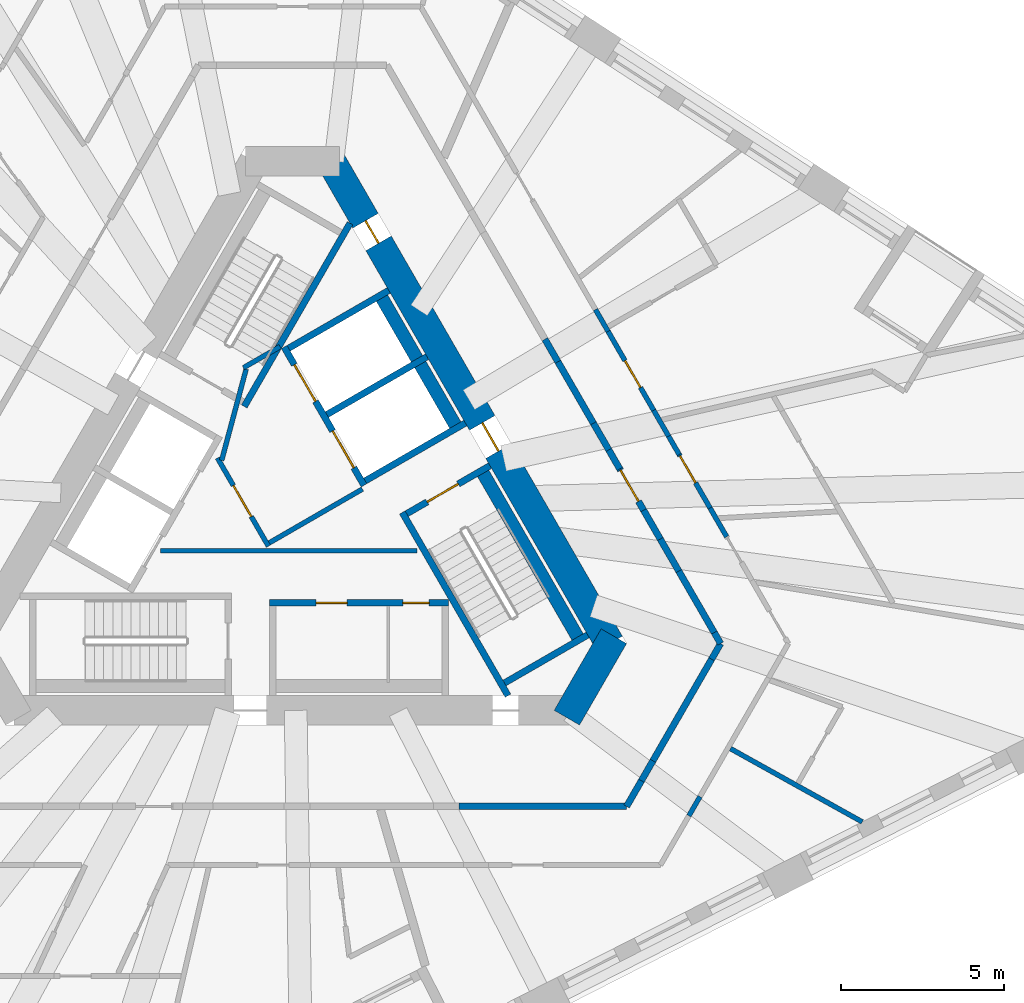
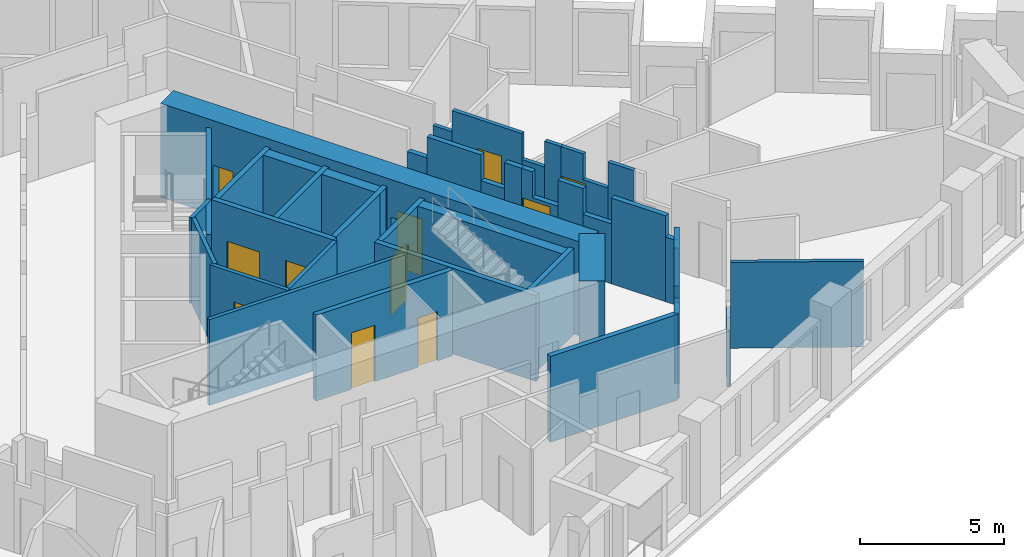
# One storey, part 5 of 13: 40 walls, 11 doors, 11 openings.
"""IFC4 building model written with IfcOpenShell, lengths in metres."""

from ifc_helpers import new_model, si_unit, direction, frame, frame_2d, origin, place, context, subcontext, project, spatial, polyline, rectangle, outline, extrude, material, layer, layer_set, type_object, element, fill, save


model = new_model("IFC4")

# Units and contexts
model_context = context("Model", 3, precision=1e-05, world=origin(), true_north=direction((0.0, 1.0)))
body_context = subcontext(model_context, "Body", "Model", "MODEL_VIEW")
ifc_project = project(units=[si_unit("LENGTHUNIT", "METRE"), si_unit("AREAUNIT", "SQUARE_METRE"), si_unit("VOLUMEUNIT", "CUBIC_METRE"), si_unit("PLANEANGLEUNIT", "RADIAN"), si_unit("MASSUNIT", "GRAM", prefix="KILO")], contexts=[model_context])

# Site, building, storey
site_placement = place(None, origin())
site = spatial("IfcSite", under=ifc_project, at=site_placement, CompositionType="ELEMENT")
building_placement = place(site_placement, origin())
building = spatial("IfcBuilding", under=site, at=building_placement, Name="Tramontana Tower", CompositionType="ELEMENT")
storey_placement = place(building_placement, frame((0.0, 0.0, 145.60009765625)))
storey = spatial("IfcBuildingStorey", under=building, at=storey_placement, Name="L33", CompositionType="ELEMENT", Elevation=145.60009765625)

# Wall
ifc_material_1 = material(Name="Concrete 70 MPa", Category="concrete")
ifc_layer_1 = layer(ifc_material_1, 0.89990234375)
ifc_layer_set_1 = layer_set([ifc_layer_1], Name="Core wall 900 70 MPa")
wall_type_1 = type_object("IfcWallType", Name="Core wall 900 70 MPa", PredefinedType="SHEAR", material=ifc_layer_set_1)
wall_1_placement = place(storey_placement, frame((8.414794921875, -6.52490234375, 0.0), z_axis=(0.0, 0.0, 1.0), x_axis=(0.500059191753, 0.865991226713, 0.0)))
element("IfcWall", 1, at=wall_1_placement, inside=storey, type_object=wall_type_1, Name="Core wall C4 L33", PredefinedType="SHEAR", context=body_context, shape_type="SweptSolid", body=[
    extrude(rectangle(XDim=2.886962890625, YDim=0.89990234375, at=frame_2d((1.443359375, 0.0))), origin(), (0.0, 0.0, 1.0), 4.0),
])

# Wall, openings, doors
wall_2_placement = place(storey_placement, frame((9.728515625, -4.25, 0.0), z_axis=(0.0, 0.0, 1.0), x_axis=(-0.500004814304, 0.866022624227, 0.0)))
wall_2 = element("IfcWall", 2, at=wall_2_placement, inside=storey, type_object=wall_type_1, Name="Core wall C5 L33", PredefinedType="SHEAR", context=body_context, shape_type="SweptSolid", body=[
    extrude(rectangle(XDim=17.089599609375, YDim=0.89990234375, at=frame_2d((8.544921875, 0.0))), origin(), (0.0, 0.0, 1.0), 4.0),
])
opening_1_placement = place(wall_2_placement, frame((6.81982421875, 0.0, 0.0)))
opening_1 = element("IfcOpeningElement", 3, at=opening_1_placement, cuts=wall_2, Name="Opening RG3", PredefinedType="OPENING", context=body_context, shape_type="SweptSolid", body=[
    extrude(rectangle(XDim=1.0, YDim=2.39990234375, at=frame_2d((0.5, 1.199951171875))), frame((0.0, 0.4599609375, 0.0), z_axis=(0.0, -1.0, 0.0), x_axis=(1.0, 0.0, 0.0)), (0.0, 0.0, 1.0), 0.919921875),
])
opening_2_placement = place(wall_2_placement, frame((14.183837890625, 0.0, 0.0)))
opening_2 = element("IfcOpeningElement", 4, at=opening_2_placement, cuts=wall_2, Name="Opening PD3", PredefinedType="OPENING", context=body_context, shape_type="SweptSolid", body=[
    extrude(rectangle(XDim=0.800048828125, YDim=2.10009765625, at=frame_2d((0.39990234375, 1.050048828125))), frame((0.0, 0.4599609375, 0.0), z_axis=(0.0, -1.0, 0.0), x_axis=(1.0, 0.0, 0.0)), (0.0, 0.0, 1.0), 0.919921875),
])
ifc_material_2 = material(Name="Painted steel", Category="steel")
door_type_1 = type_object("IfcDoorType", Name="CUPBOARD DOOR 800", OperationType="SINGLE_SWING_LEFT", PredefinedType="DOOR", material=ifc_material_2)
door_1_placement = place(opening_2_placement, origin())
door_1 = element("IfcDoor", 5, at=door_1_placement, inside=storey, type_object=door_type_1, Name="Door PD3", OperationType="SINGLE_SWING_RIGHT", OverallHeight=2.10009765625, OverallWidth=0.800048828125, PredefinedType="DOOR", context=body_context, shape_type="SweptSolid", body=[
    extrude(rectangle(XDim=0.800048828125, YDim=2.10009765625, at=frame_2d((0.39990234375, 1.050048828125))), frame((0.0, 0.02490234375, 0.0), z_axis=(0.0, -1.0, 0.0), x_axis=(1.0, 0.0, 0.0)), (0.0, 0.0, 1.0), 0.050048828125),
])
fill(opening_2, door_1)
ifc_material_3 = material(Name="Painted steel", Category="steel")
door_type_2 = type_object("IfcDoorType", Name="RING DOOR 1000", OperationType="SINGLE_SWING_LEFT", PredefinedType="DOOR", material=ifc_material_3)
door_2_placement = place(opening_1_placement, origin())
door_2 = element("IfcDoor", 6, at=door_2_placement, inside=storey, type_object=door_type_2, Name="Door RG3", OperationType="SINGLE_SWING_RIGHT", OverallHeight=2.39990234375, OverallWidth=1.0, PredefinedType="DOOR", context=body_context, shape_type="SweptSolid", body=[
    extrude(rectangle(XDim=1.0, YDim=2.39990234375, at=frame_2d((0.5, 1.199951171875))), frame((0.0, 0.02490234375, 0.0), z_axis=(0.0, -1.0, 0.0), x_axis=(1.0, 0.0, 0.0)), (0.0, 0.0, 1.0), 0.050048828125),
])
fill(opening_1, door_2)

# Walls
ifc_material_4 = material(Name="Blockwork", Category="masonry")
ifc_layer_2 = layer(ifc_material_4, 0.199951171875)
ifc_layer_set_2 = layer_set([ifc_layer_2], Name="ENTRY WALL 200")
wall_type_2 = type_object("IfcWallType", Name="ENTRY WALL 200", PredefinedType="SOLIDWALL", material=ifc_layer_set_2)
wall_3_placement = place(storey_placement, frame((7.7421875, 5.090087890625, 0.0), z_axis=(0.0, 0.0, 1.0), x_axis=(0.500109828528, -0.865961984968, 0.0)))
element("IfcWall", 7, at=wall_3_placement, inside=storey, type_object=wall_type_2, Name="Wall v31-ew0-3", PredefinedType="SOLIDWALL", context=body_context, shape_type="SweptSolid", body=[
    extrude(rectangle(XDim=0.800048828125, YDim=0.199951171875, at=frame_2d((0.39990234375, 0.0))), origin(), (0.0, 0.0, 1.0), 2.75),
])
wall_4_placement = place(storey_placement, frame((8.142333984375, 4.397216796875, 0.0), z_axis=(0.0, 0.0, 1.0), x_axis=(0.499948868167, -0.866054922749, 0.0)))
element("IfcWall", 8, at=wall_4_placement, inside=storey, type_object=wall_type_2, Name="Wall v31-ew0-4", PredefinedType="SOLIDWALL", context=body_context, shape_type="SweptSolid", body=[
    extrude(rectangle(XDim=2.177978515625, YDim=0.199951171875, at=frame_2d((1.0888671875, 0.0))), origin(), (0.0, 0.0, 1.0), 3.64990234375),
])
wall_5_placement = place(storey_placement, frame((9.231201171875, 2.510986328125, 0.0), z_axis=(0.0, 0.0, 1.0), x_axis=(0.500118100521, -0.865957207679, 0.0)))
element("IfcWall", 9, at=wall_5_placement, inside=storey, type_object=wall_type_2, Name="Wall v31-ew0-5", PredefinedType="SOLIDWALL", context=body_context, shape_type="SweptSolid", body=[
    extrude(rectangle(XDim=0.943603515625, YDim=0.199951171875, at=frame_2d((0.4716796875, 0.0))), origin(), (0.0, 0.0, 1.0), 2.5498046875),
])
wall_6_placement = place(storey_placement, frame((9.703125, 1.69384765625, 0.0), z_axis=(0.0, 0.0, 1.0), x_axis=(0.499764284991, -0.866161451144, 0.0)))
element("IfcWall", 10, at=wall_6_placement, inside=storey, type_object=wall_type_2, Name="Wall v31-ew0-6", PredefinedType="SOLIDWALL", context=body_context, shape_type="SweptSolid", body=[
    extrude(rectangle(XDim=0.673583984375, YDim=0.199951171875, at=frame_2d((0.3369140625, 0.0))), origin(), (0.0, 0.0, 1.0), 3.64990234375),
])

# Wall, opening, door
wall_7_placement = place(storey_placement, frame((10.039794921875, 1.1103515625, 0.0), z_axis=(0.0, 0.0, 1.0), x_axis=(0.499977492351, -0.866038398192, 0.0)))
wall_7 = element("IfcWall", 11, at=wall_7_placement, inside=storey, type_object=wall_type_2, Name="Wall v31-ew0-7", PredefinedType="SOLIDWALL", context=body_context, shape_type="SweptSolid", body=[
    extrude(outline(polyline([(0.0, 0.0), (1.4638671875, 0.0), (1.4638671875, 2.5498046875), (0.4404296875, 2.5498046875), (0.4404296875, 3.64990234375), (0.0, 3.64990234375), (0.0, 0.0)])), frame((0.0, 0.10009765625, 0.0), z_axis=(0.0, -1.0, 0.0), x_axis=(1.0, 0.0, 0.0)), (0.0, 0.0, 1.0), 0.199951171875),
])
opening_3_placement = place(wall_7_placement, frame((0.050048828125, 0.0, 0.0)))
opening_3 = element("IfcOpeningElement", 12, at=opening_3_placement, cuts=wall_7, Name="Opening B3B-28", PredefinedType="OPENING", context=body_context, shape_type="SweptSolid", body=[
    extrude(rectangle(XDim=1.10009765625, YDim=2.39990234375, at=frame_2d((0.550048828125, 1.199951171875))), frame((0.0, 0.10986328125, 0.0), z_axis=(0.0, -1.0, 0.0), x_axis=(1.0, 0.0, 0.0)), (0.0, 0.0, 1.0), 0.219970703125),
])
ifc_material_5 = material(Name="Painted timber", Category="wood")
door_type_3 = type_object("IfcDoorType", Name="DOOR ENTRY 1100", OperationType="SINGLE_SWING_LEFT", PredefinedType="DOOR", material=ifc_material_5)
door_3_placement = place(opening_3_placement, origin())
door_3 = element("IfcDoor", 13, at=door_3_placement, inside=storey, type_object=door_type_3, Name="Door B3B-28", OperationType="SINGLE_SWING_RIGHT", OverallHeight=2.39990234375, OverallWidth=1.10009765625, PredefinedType="DOOR", context=body_context, shape_type="SweptSolid", body=[
    extrude(rectangle(XDim=1.10009765625, YDim=2.39990234375, at=frame_2d((0.550048828125, 1.199951171875))), frame((0.0, 0.02490234375, 0.0), z_axis=(0.0, -1.0, 0.0), x_axis=(1.0, 0.0, 0.0)), (0.0, 0.0, 1.0), 0.050048828125),
])
fill(opening_3, door_3)

# Walls
wall_8_placement = place(storey_placement, frame((10.771728515625, -0.157470703125, 0.0), z_axis=(0.0, 0.0, 1.0), x_axis=(0.500170198676, -0.865927117231, 0.0)))
element("IfcWall", 14, at=wall_8_placement, inside=storey, type_object=wall_type_2, Name="Wall v31-ew0-8", PredefinedType="SOLIDWALL", context=body_context, shape_type="SweptSolid", body=[
    extrude(rectangle(XDim=1.022705078125, YDim=0.199951171875, at=frame_2d((0.51123046875, 0.0))), origin(), (0.0, 0.0, 1.0), 3.64990234375),
])
wall_9_placement = place(storey_placement, frame((11.283203125, -1.04296875, 0.0), z_axis=(0.0, 0.0, 1.0), x_axis=(0.500001688065, -0.866024429177, 0.0)))
element("IfcWall", 15, at=wall_9_placement, inside=storey, type_object=wall_type_2, Name="Wall v31-ew0-9", PredefinedType="SOLIDWALL", context=body_context, shape_type="SweptSolid", body=[
    extrude(rectangle(XDim=1.13525390625, YDim=0.199951171875, at=frame_2d((0.567626953125, 0.0))), origin(), (0.0, 0.0, 1.0), 2.5498046875),
])
wall_10_placement = place(storey_placement, frame((11.850830078125, -2.026123046875, 0.0), z_axis=(0.0, 0.0, 1.0), x_axis=(0.50001992892, -0.866013897511, 0.0)))
element("IfcWall", 16, at=wall_10_placement, inside=storey, type_object=wall_type_2, Name="Wall v31-ew0-10", PredefinedType="SOLIDWALL", context=body_context, shape_type="SweptSolid", body=[
    extrude(rectangle(XDim=2.1787109375, YDim=0.199951171875, at=frame_2d((1.08935546875, 0.0))), origin(), (0.0, 0.0, 1.0), 3.64990234375),
])
wall_11_placement = place(storey_placement, frame((12.940185546875, -3.912841796875, 0.0), z_axis=(0.0, 0.0, 1.0), x_axis=(0.499849133735, -0.866112488944, 0.0)))
element("IfcWall", 17, at=wall_11_placement, inside=storey, type_object=wall_type_2, Name="Wall v31-ew0-11", PredefinedType="SOLIDWALL", context=body_context, shape_type="SweptSolid", body=[
    extrude(rectangle(XDim=0.38916015625, YDim=0.199951171875, at=frame_2d((0.194580078125, 0.0))), origin(), (0.0, 0.0, 1.0), 2.75),
])
wall_12_placement = place(storey_placement, frame((13.134765625, -4.25, 0.0), z_axis=(0.0, 0.0, 1.0), x_axis=(-0.499887958344, -0.866090081402, 0.0)))
element("IfcWall", 18, at=wall_12_placement, inside=storey, type_object=wall_type_2, Name="Wall v31-ew1-0", PredefinedType="SOLIDWALL", context=body_context, shape_type="SweptSolid", body=[
    extrude(rectangle(XDim=0.553466796875, YDim=0.199951171875, at=frame_2d((0.27685546875, 0.0))), origin(), (0.0, 0.0, 1.0), 2.75),
])
wall_13_placement = place(storey_placement, frame((12.858154296875, -4.729248046875, 0.0), z_axis=(0.0, 0.0, 1.0), x_axis=(-0.500031425827, -0.866007259314, 0.0)))
element("IfcWall", 19, at=wall_13_placement, inside=storey, type_object=wall_type_2, Name="Wall v31-ew1-1", PredefinedType="SOLIDWALL", context=body_context, shape_type="SweptSolid", body=[
    extrude(rectangle(XDim=3.602294921875, YDim=0.199951171875, at=frame_2d((1.80126953125, 0.0))), origin(), (0.0, 0.0, 1.0), 3.64990234375),
])
wall_14_placement = place(storey_placement, frame((11.056884765625, -7.848876953125, 0.0), z_axis=(0.0, 0.0, 1.0), x_axis=(-0.500012199891, -0.86601836006, 0.0)))
element("IfcWall", 20, at=wall_14_placement, inside=storey, type_object=wall_type_2, Name="Wall v31-ew1-2", PredefinedType="SOLIDWALL", context=body_context, shape_type="SweptSolid", body=[
    extrude(rectangle(XDim=0.705078125, YDim=0.199951171875, at=frame_2d((0.3525390625, 0.0))), origin(), (0.0, 0.0, 1.0), 2.949951171875),
])
wall_15_placement = place(storey_placement, frame((10.704345703125, -8.45947265625, 0.0), z_axis=(0.0, 0.0, 1.0), x_axis=(-0.499907684424, -0.866078695647, 0.0)))
element("IfcWall", 21, at=wall_15_placement, inside=storey, type_object=wall_type_2, Name="Wall v31-ew1-3", PredefinedType="SOLIDWALL", context=body_context, shape_type="SweptSolid", body=[
    extrude(rectangle(XDim=0.912841796875, YDim=0.199951171875, at=frame_2d((0.45654296875, 0.0))), origin(), (0.0, 0.0, 1.0), 3.64990234375),
])
wall_16_placement = place(storey_placement, frame((10.248046875, -9.25, 0.0), z_axis=(0.0, 0.0, 1.0), x_axis=(-1.0, 0.0, 0.0)))
element("IfcWall", 22, at=wall_16_placement, inside=storey, type_object=wall_type_2, Name="Wall v31-ew2-0", PredefinedType="SOLIDWALL", context=body_context, shape_type="SweptSolid", body=[
    extrude(rectangle(XDim=5.14208984375, YDim=0.199951171875, at=frame_2d((2.571044921875, 0.0))), origin(), (0.0, 0.0, 1.0), 3.64990234375),
])

# Wall, opening, door
ifc_material_6 = material(Name="Gypsum board partition")
ifc_layer_3 = layer(ifc_material_6, 0.14990234375)
ifc_layer_set_3 = layer_set([ifc_layer_3], Name="PARTITION 150")
wall_type_3 = type_object("IfcWallType", Name="PARTITION 150", PredefinedType="PARTITIONING", material=ifc_layer_set_3)
wall_17_placement = place(storey_placement, frame((-0.744140625, -1.260986328125, 0.0), z_axis=(0.0, 0.0, 1.0), x_axis=(-0.500004234368, 0.866022959057, 0.0)))
wall_17 = element("IfcWall", 23, at=wall_17_placement, inside=storey, type_object=wall_type_3, Name="Wall ff-front", PredefinedType="PARTITIONING", context=body_context, shape_type="SweptSolid", body=[
    extrude(rectangle(XDim=3.125, YDim=0.14990234375, at=frame_2d((1.5625, 0.0))), origin(), (0.0, 0.0, 1.0), 3.64990234375),
])
opening_4_placement = place(wall_17_placement, frame((1.050048828125, 0.0, 0.0)))
opening_4 = element("IfcOpeningElement", 24, at=opening_4_placement, cuts=wall_17, Name="Opening FD1", PredefinedType="OPENING", context=body_context, shape_type="SweptSolid", body=[
    extrude(rectangle(XDim=1.10009765625, YDim=2.39990234375, at=frame_2d((0.550048828125, 1.199951171875))), frame((0.0, 0.0849609375, 0.0), z_axis=(0.0, -1.0, 0.0), x_axis=(1.0, 0.0, 0.0)), (0.0, 0.0, 1.0), 0.169921875),
])
door_4_placement = place(opening_4_placement, origin())
door_4 = element("IfcDoor", 25, at=door_4_placement, inside=storey, type_object=door_type_3, Name="Door FD1", OperationType="SINGLE_SWING_LEFT", OverallHeight=2.39990234375, OverallWidth=1.10009765625, PredefinedType="DOOR", context=body_context, shape_type="SweptSolid", body=[
    extrude(rectangle(XDim=1.10009765625, YDim=2.39990234375, at=frame_2d((0.550048828125, 1.199951171875))), frame((0.0, 0.02490234375, 0.0), z_axis=(0.0, -1.0, 0.0), x_axis=(1.0, 0.0, 0.0)), (0.0, 0.0, 1.0), 0.050048828125),
])
fill(opening_4, door_4)

# Walls
wall_18_placement = place(storey_placement, frame((-0.716796875, -1.15869140625, 0.0), z_axis=(0.0, 0.0, 1.0), x_axis=(0.866008176907, 0.50002983664, 0.0)))
element("IfcWall", 26, at=wall_18_placement, inside=storey, type_object=wall_type_3, Name="Wall ff-end0", PredefinedType="PARTITIONING", context=body_context, shape_type="SweptSolid", body=[
    extrude(rectangle(XDim=3.300048828125, YDim=0.14990234375, at=frame_2d((1.64990234375, 0.0))), origin(), (0.0, 0.0, 1.0), 3.64990234375),
])
wall_19_placement = place(storey_placement, frame((-2.177978515625, 1.372314453125, 0.0), z_axis=(0.0, 0.0, 1.0), x_axis=(0.258808958833, 0.96592852884, 0.0)))
element("IfcWall", 27, at=wall_19_placement, inside=storey, type_object=wall_type_3, Name="Wall ff-diag", PredefinedType="PARTITIONING", context=body_context, shape_type="SweptSolid", body=[
    extrude(rectangle(XDim=2.902587890625, YDim=0.14990234375, at=frame_2d((1.451171875, 0.0))), origin(), (0.0, 0.0, 1.0), 3.64990234375),
])
wall_20_placement = place(storey_placement, frame((-1.509765625, 4.21484375, 0.0), z_axis=(0.0, 0.0, 1.0), x_axis=(0.866085525409, 0.49989585183, 0.0)))
element("IfcWall", 28, at=wall_20_placement, inside=storey, type_object=wall_type_3, Name="Wall ff-end1", PredefinedType="PARTITIONING", context=body_context, shape_type="SweptSolid", body=[
    extrude(rectangle(XDim=1.300048828125, YDim=0.14990234375, at=frame_2d((0.64990234375, 0.0))), origin(), (0.0, 0.0, 1.0), 3.64990234375),
])
wall_21_placement = place(storey_placement, frame((-4.053466796875, -1.39990234375, 0.0), z_axis=(0.0, 0.0, 1.0), x_axis=(1.0, 0.0, 0.0)))
element("IfcWall", 29, at=wall_21_placement, inside=storey, type_object=wall_type_3, Name="Wall hub-cut1", PredefinedType="PARTITIONING", context=body_context, shape_type="SweptSolid", body=[
    extrude(rectangle(XDim=7.8759765625, YDim=0.14990234375, at=frame_2d((3.93798828125, 0.0))), origin(), (0.0, 0.0, 1.0), 3.64990234375),
])
wall_22_placement = place(storey_placement, frame((9.2939453125, 6.00244140625, 0.0), z_axis=(0.0, 0.0, 1.0), x_axis=(0.499831512295, -0.866122658356, 0.0)))
element("IfcWall", 30, at=wall_22_placement, inside=storey, type_object=wall_type_3, Name="Wall v31-pw29-3", PredefinedType="PARTITIONING", context=body_context, shape_type="SweptSolid", body=[
    extrude(rectangle(XDim=0.775146484375, YDim=0.14990234375, at=frame_2d((0.3876953125, 0.0))), origin(), (0.0, 0.0, 1.0), 2.75),
])

# Wall, opening, door
wall_23_placement = place(storey_placement, frame((9.681396484375, 5.3310546875, 0.0), z_axis=(0.0, 0.0, 1.0), x_axis=(0.500034735108, -0.866005348532, 0.0)))
wall_23 = element("IfcWall", 31, at=wall_23_placement, inside=storey, type_object=wall_type_3, Name="Wall v31-pw29-4", PredefinedType="PARTITIONING", context=body_context, shape_type="SweptSolid", body=[
    extrude(rectangle(XDim=2.797119140625, YDim=0.14990234375, at=frame_2d((1.3984375, 0.0))), origin(), (0.0, 0.0, 1.0), 3.64990234375),
])
opening_5_placement = place(wall_23_placement, frame((1.038330078125, 0.0, 0.0)))
opening_5 = element("IfcOpeningElement", 32, at=opening_5_placement, cuts=wall_23, Name="Opening B3B-21", PredefinedType="OPENING", context=body_context, shape_type="SweptSolid", body=[
    extrude(rectangle(XDim=0.949951171875, YDim=2.39990234375, at=frame_2d((0.47509765625, 1.199951171875))), frame((0.0, 0.0849609375, 0.0), z_axis=(0.0, -1.0, 0.0), x_axis=(1.0, 0.0, 0.0)), (0.0, 0.0, 1.0), 0.169921875),
])
ifc_material_7 = material(Name="Painted timber", Category="wood")
door_type_4 = type_object("IfcDoorType", Name="DOOR ROOM 950", OperationType="SINGLE_SWING_LEFT", PredefinedType="DOOR", material=ifc_material_7)
door_5_placement = place(opening_5_placement, origin())
door_5 = element("IfcDoor", 33, at=door_5_placement, inside=storey, type_object=door_type_4, Name="Door B3B-21", OperationType="SINGLE_SWING_LEFT", OverallHeight=2.39990234375, OverallWidth=0.949951171875, PredefinedType="DOOR", context=body_context, shape_type="SweptSolid", body=[
    extrude(rectangle(XDim=0.949951171875, YDim=2.39990234375, at=frame_2d((0.47509765625, 1.199951171875))), frame((0.0, 0.02490234375, 0.0), z_axis=(0.0, -1.0, 0.0), x_axis=(1.0, 0.0, 0.0)), (0.0, 0.0, 1.0), 0.050048828125),
])
fill(opening_5, door_5)

# Walls
wall_24_placement = place(storey_placement, frame((11.080078125, 2.90869140625, 0.0), z_axis=(0.0, 0.0, 1.0), x_axis=(0.500060322201, -0.865990573944, 0.0)))
element("IfcWall", 34, at=wall_24_placement, inside=storey, type_object=wall_type_3, Name="Wall v31-pw29-5", PredefinedType="PARTITIONING", context=body_context, shape_type="SweptSolid", body=[
    extrude(rectangle(XDim=0.91748046875, YDim=0.14990234375, at=frame_2d((0.458740234375, 0.0))), origin(), (0.0, 0.0, 1.0), 2.5498046875),
])
wall_25_placement = place(storey_placement, frame((11.538818359375, 2.1142578125, 0.0), z_axis=(0.0, 0.0, 1.0), x_axis=(0.499852395195, -0.866110606688, 0.0)))
element("IfcWall", 35, at=wall_25_placement, inside=storey, type_object=wall_type_3, Name="Wall v31-pw29-6", PredefinedType="PARTITIONING", context=body_context, shape_type="SweptSolid", body=[
    extrude(rectangle(XDim=0.650634765625, YDim=0.14990234375, at=frame_2d((0.3251953125, 0.0))), origin(), (0.0, 0.0, 1.0), 3.64990234375),
])

# Wall, opening, door
wall_26_placement = place(storey_placement, frame((11.864013671875, 1.55078125, 0.0), z_axis=(0.0, 0.0, 1.0), x_axis=(0.500034891006, -0.866005258515, 0.0)))
wall_26 = element("IfcWall", 36, at=wall_26_placement, inside=storey, type_object=wall_type_3, Name="Wall v31-pw29-7", PredefinedType="PARTITIONING", context=body_context, shape_type="SweptSolid", body=[
    extrude(outline(polyline([(0.0, 0.0), (1.893798828125, 0.0), (1.89404296875, 2.5498046875), (0.89892578125, 2.5498046875), (0.89892578125, 3.64990234375), (0.0, 3.64990234375), (0.0, 0.0)])), frame((0.0, 0.074951171875, 0.0), z_axis=(0.0, -1.0, 0.0), x_axis=(1.0, 0.0, 0.0)), (0.0, 0.0, 1.0), 0.14990234375),
])
opening_6_placement = place(wall_26_placement, frame((0.050048828125, 0.0, 0.0)))
opening_6 = element("IfcOpeningElement", 37, at=opening_6_placement, cuts=wall_26, Name="Opening B3B-17", PredefinedType="OPENING", context=body_context, shape_type="SweptSolid", body=[
    extrude(rectangle(XDim=0.949951171875, YDim=2.39990234375, at=frame_2d((0.47509765625, 1.199951171875))), frame((0.0, 0.0849609375, 0.0), z_axis=(0.0, -1.0, 0.0), x_axis=(1.0, 0.0, 0.0)), (0.0, 0.0, 1.0), 0.169921875),
])
door_6_placement = place(opening_6_placement, origin())
door_6 = element("IfcDoor", 38, at=door_6_placement, inside=storey, type_object=door_type_4, Name="Door B3B-17", OperationType="SINGLE_SWING_LEFT", OverallHeight=2.39990234375, OverallWidth=0.949951171875, PredefinedType="DOOR", context=body_context, shape_type="SweptSolid", body=[
    extrude(rectangle(XDim=0.949951171875, YDim=2.39990234375, at=frame_2d((0.47509765625, 1.199951171875))), frame((0.0, 0.02490234375, 0.0), z_axis=(0.0, -1.0, 0.0), x_axis=(1.0, 0.0, 0.0)), (0.0, 0.0, 1.0), 0.050048828125),
])
fill(opening_6, door_6)

# Walls
wall_27_placement = place(storey_placement, frame((12.81103515625, -0.08935546875, 0.0), z_axis=(0.0, 0.0, 1.0), x_axis=(0.500018862428, -0.866014513283, 0.0)))
element("IfcWall", 39, at=wall_27_placement, inside=storey, type_object=wall_type_3, Name="Wall v31-pw29-8", PredefinedType="PARTITIONING", context=body_context, shape_type="SweptSolid", body=[
    extrude(rectangle(XDim=1.02197265625, YDim=0.14990234375, at=frame_2d((0.510986328125, 0.0))), origin(), (0.0, 0.0, 1.0), 3.64990234375),
])
wall_28_placement = place(storey_placement, frame((12.501220703125, -8.947021484375, 0.0), z_axis=(0.0, 0.0, 1.0), x_axis=(-0.499846793097, -0.866113839764, 0.0)))
element("IfcWall", 40, at=wall_28_placement, inside=storey, type_object=wall_type_3, Name="Wall v31-pw40-3", PredefinedType="PARTITIONING", context=body_context, shape_type="SweptSolid", body=[
    extrude(rectangle(XDim=0.679931640625, YDim=0.14990234375, at=frame_2d((0.33984375, 0.0))), origin(), (0.0, 0.0, 1.0), 2.949951171875),
])
wall_29_placement = place(storey_placement, frame((17.481689453125, -9.72314453125, 0.0), z_axis=(0.0, 0.0, 1.0), x_axis=(-0.873935661158, 0.486041623893, 0.0)))
element("IfcWall", 41, at=wall_29_placement, inside=storey, type_object=wall_type_3, Name="Wall v31-pw43", PredefinedType="PARTITIONING", context=body_context, shape_type="SweptSolid", body=[
    extrude(rectangle(XDim=4.626708984375, YDim=0.14990234375, at=frame_2d((2.3134765625, 0.0))), origin(), (0.0, 0.0, 1.0), 3.64990234375),
])
ifc_material_8 = material(Name="Concrete 70 MPa", Category="concrete")
ifc_layer_4 = layer(ifc_material_8, 0.39990234375)
ifc_layer_set_4 = layer_set([ifc_layer_4], Name="Concrete 70 MPa, 400 mm")
wall_type_4 = type_object("IfcWallType", Name="RC SHAFT BACK WALL 400", PredefinedType="SOLIDWALL", material=ifc_layer_set_4)
wall_30_placement = place(storey_placement, frame((8.846435546875, -4.222412109375, 0.0), z_axis=(0.0, 0.0, 1.0), x_axis=(-0.500009909098, 0.866019682689, 0.0)))
element("IfcWall", 42, at=wall_30_placement, inside=storey, type_object=wall_type_4, Name="Wall st3-back", PredefinedType="SOLIDWALL", context=body_context, shape_type="SweptSolid", body=[
    extrude(rectangle(XDim=6.199951171875, YDim=0.39990234375, at=frame_2d((3.10009765625, 0.0))), origin(), (0.0, 0.0, 1.0), 3.64990234375),
])
wall_31_placement = place(storey_placement, frame((5.091552734375, 2.28125, 0.0), z_axis=(0.0, 0.0, 1.0), x_axis=(-0.500018594424, 0.866014668023, 0.0)))
element("IfcWall", 43, at=wall_31_placement, inside=storey, type_object=wall_type_4, Name="Wall row2-back", PredefinedType="SOLIDWALL", context=body_context, shape_type="SweptSolid", body=[
    extrude(rectangle(XDim=4.900146484375, YDim=0.39990234375, at=frame_2d((2.4501953125, 0.0))), origin(), (0.0, 0.0, 1.0), 3.64990234375),
])
ifc_material_9 = material(Name="Concrete 70 MPa", Category="concrete")
ifc_layer_5 = layer(ifc_material_9, 0.199951171875)
ifc_layer_set_5 = layer_set([ifc_layer_5], Name="Concrete 70 MPa, 200 mm")
wall_type_5 = type_object("IfcWallType", Name="RC STAIR AND SHAFT WALL 200", PredefinedType="SOLIDWALL", material=ifc_layer_set_5)
wall_32_placement = place(storey_placement, frame((1.760986328125, 8.64990234375, 0.0), z_axis=(0.0, 0.0, 1.0), x_axis=(-0.500010023241, -0.866019616786, 0.0)))
element("IfcWall", 44, at=wall_32_placement, inside=storey, type_object=wall_type_5, Name="Wall st1-front", PredefinedType="SOLIDWALL", context=body_context, shape_type="SweptSolid", body=[
    extrude(rectangle(XDim=6.491455078125, YDim=0.199951171875, at=frame_2d((3.24560546875, 0.0))), origin(), (0.0, 0.0, 1.0), 3.64990234375),
])
wall_33_placement = place(storey_placement, frame((6.610595703125, -5.85009765625, 0.0), z_axis=(0.0, 0.0, 1.0), x_axis=(-0.499965531574, 0.866045303225, 0.0)))
element("IfcWall", 45, at=wall_33_placement, inside=storey, type_object=wall_type_5, Name="Wall st3-front", PredefinedType="SOLIDWALL", context=body_context, shape_type="SweptSolid", body=[
    extrude(rectangle(XDim=6.49169921875, YDim=0.199951171875, at=frame_2d((3.245849609375, 0.0))), origin(), (0.0, 0.0, 1.0), 3.64990234375),
])
wall_34_placement = place(storey_placement, frame((6.50146484375, -5.4609375, 0.0), z_axis=(0.0, 0.0, 1.0), x_axis=(0.866003658127, 0.500037662692, 0.0)))
element("IfcWall", 46, at=wall_34_placement, inside=storey, type_object=wall_type_5, Name="Wall st3-far", PredefinedType="SOLIDWALL", context=body_context, shape_type="SweptSolid", body=[
    extrude(rectangle(XDim=2.949951171875, YDim=0.199951171875, at=frame_2d((1.47509765625, 0.0))), origin(), (0.0, 0.0, 1.0), 3.64990234375),
])

# Wall, opening, door
wall_35_placement = place(storey_placement, frame((3.50146484375, -0.2646484375, 0.0), z_axis=(0.0, 0.0, 1.0), x_axis=(0.866039495442, 0.49997559174, 0.0)))
wall_35 = element("IfcWall", 47, at=wall_35_placement, inside=storey, type_object=wall_type_5, Name="Wall st3-near", PredefinedType="SOLIDWALL", context=body_context, shape_type="SweptSolid", body=[
    extrude(rectangle(XDim=2.949951171875, YDim=0.199951171875, at=frame_2d((1.47509765625, 0.0))), origin(), (0.0, 0.0, 1.0), 3.64990234375),
])
opening_7_placement = place(wall_35_placement, frame((0.72509765625, 0.0, 0.0)))
opening_7 = element("IfcOpeningElement", 48, at=opening_7_placement, cuts=wall_35, Name="Opening SD3", PredefinedType="OPENING", context=body_context, shape_type="SweptSolid", body=[
    extrude(rectangle(XDim=1.10009765625, YDim=2.39990234375, at=frame_2d((0.550048828125, 1.199951171875))), frame((0.0, 0.10986328125, 0.0), z_axis=(0.0, -1.0, 0.0), x_axis=(1.0, 0.0, 0.0)), (0.0, 0.0, 1.0), 0.219970703125),
])
ifc_material_10 = material(Name="Painted steel", Category="steel")
door_type_5 = type_object("IfcDoorType", Name="STAIR DOOR 1100", OperationType="SINGLE_SWING_LEFT", PredefinedType="DOOR", material=ifc_material_10)
door_7_placement = place(opening_7_placement, origin())
door_7 = element("IfcDoor", 49, at=door_7_placement, inside=storey, type_object=door_type_5, Name="Door SD3", OperationType="SINGLE_SWING_RIGHT", OverallHeight=2.39990234375, OverallWidth=1.10009765625, PredefinedType="DOOR", context=body_context, shape_type="SweptSolid", body=[
    extrude(rectangle(XDim=1.10009765625, YDim=2.39990234375, at=frame_2d((0.550048828125, 1.199951171875))), frame((0.0, 0.02490234375, 0.0), z_axis=(0.0, -1.0, 0.0), x_axis=(1.0, 0.0, 0.0)), (0.0, 0.0, 1.0), 0.050048828125),
])
fill(opening_7, door_7)

# Wall, openings, doors
wall_36_placement = place(storey_placement, frame((4.7900390625, -3.0, 0.0), z_axis=(0.0, 0.0, 1.0), x_axis=(-1.0, 0.0, 0.0)))
wall_36 = element("IfcWall", 50, at=wall_36_placement, inside=storey, type_object=wall_type_5, Name="Wall row1-front", PredefinedType="SOLIDWALL", context=body_context, shape_type="SweptSolid", body=[
    extrude(rectangle(XDim=5.5, YDim=0.199951171875, at=frame_2d((2.75, 0.0))), origin(), (0.0, 0.0, 1.0), 3.64990234375),
])
opening_8_placement = place(wall_36_placement, frame((3.1201171875, 0.0, 0.0)))
opening_8 = element("IfcOpeningElement", 51, at=opening_8_placement, cuts=wall_36, Name="Opening RD-1A", PredefinedType="OPENING", context=body_context, shape_type="SweptSolid", body=[
    extrude(rectangle(XDim=0.949951171875, YDim=2.39990234375, at=frame_2d((0.47509765625, 1.199951171875))), frame((0.0, 0.10986328125, 0.0), z_axis=(0.0, -1.0, 0.0), x_axis=(1.0, 0.0, 0.0)), (0.0, 0.0, 1.0), 0.219970703125),
])
opening_9_placement = place(wall_36_placement, frame((0.60498046875, 0.0, 0.0)))
opening_9 = element("IfcOpeningElement", 52, at=opening_9_placement, cuts=wall_36, Name="Opening RD-1B", PredefinedType="OPENING", context=body_context, shape_type="SweptSolid", body=[
    extrude(rectangle(XDim=0.800048828125, YDim=2.10009765625, at=frame_2d((0.39990234375, 1.050048828125))), frame((0.0, 0.10986328125, 0.0), z_axis=(0.0, -1.0, 0.0), x_axis=(1.0, 0.0, 0.0)), (0.0, 0.0, 1.0), 0.219970703125),
])
door_8_placement = place(opening_9_placement, origin())
door_8 = element("IfcDoor", 53, at=door_8_placement, inside=storey, type_object=door_type_1, Name="Door RD-1B", OperationType="SINGLE_SWING_RIGHT", OverallHeight=2.10009765625, OverallWidth=0.800048828125, PredefinedType="DOOR", context=body_context, shape_type="SweptSolid", body=[
    extrude(rectangle(XDim=0.800048828125, YDim=2.10009765625, at=frame_2d((0.39990234375, 1.050048828125))), frame((0.0, 0.02490234375, 0.0), z_axis=(0.0, -1.0, 0.0), x_axis=(1.0, 0.0, 0.0)), (0.0, 0.0, 1.0), 0.050048828125),
])
fill(opening_9, door_8)
door_9_placement = place(opening_8_placement, origin())
door_9 = element("IfcDoor", 54, at=door_9_placement, inside=storey, type_object=door_type_4, Name="Door RD-1A", OperationType="SINGLE_SWING_LEFT", OverallHeight=2.39990234375, OverallWidth=0.949951171875, PredefinedType="DOOR", context=body_context, shape_type="SweptSolid", body=[
    extrude(rectangle(XDim=0.949951171875, YDim=2.39990234375, at=frame_2d((0.47509765625, 1.199951171875))), frame((0.0, 0.02490234375, 0.0), z_axis=(0.0, -1.0, 0.0), x_axis=(1.0, 0.0, 0.0)), (0.0, 0.0, 1.0), 0.050048828125),
])
fill(opening_8, door_9)

wall_37_placement = place(storey_placement, frame((2.190185546875, 0.6064453125, 0.0), z_axis=(0.0, 0.0, 1.0), x_axis=(-0.500002801628, 0.866023786258, 0.0)))
wall_37 = element("IfcWall", 55, at=wall_37_placement, inside=storey, type_object=wall_type_5, Name="Wall row2-front", PredefinedType="SOLIDWALL", context=body_context, shape_type="SweptSolid", body=[
    extrude(rectangle(XDim=4.89990234375, YDim=0.199951171875, at=frame_2d((2.449951171875, 0.0))), origin(), (0.0, 0.0, 1.0), 3.64990234375),
])
opening_10_placement = place(wall_37_placement, frame((0.625, 0.0, 0.0)))
opening_10 = element("IfcOpeningElement", 56, at=opening_10_placement, cuts=wall_37, Name="Opening LD-F1", PredefinedType="OPENING", context=body_context, shape_type="SweptSolid", body=[
    extrude(rectangle(XDim=1.300048828125, YDim=2.10009765625, at=frame_2d((0.64990234375, 1.050048828125))), frame((0.0, 0.10986328125, 0.0), z_axis=(0.0, -1.0, 0.0), x_axis=(1.0, 0.0, 0.0)), (0.0, 0.0, 1.0), 0.219970703125),
])
opening_11_placement = place(wall_37_placement, frame((2.97509765625, 0.0, 0.0)))
opening_11 = element("IfcOpeningElement", 57, at=opening_11_placement, cuts=wall_37, Name="Opening LD-F2", PredefinedType="OPENING", context=body_context, shape_type="SweptSolid", body=[
    extrude(rectangle(XDim=1.300048828125, YDim=2.10009765625, at=frame_2d((0.64990234375, 1.050048828125))), frame((0.0, 0.10986328125, 0.0), z_axis=(0.0, -1.0, 0.0), x_axis=(1.0, 0.0, 0.0)), (0.0, 0.0, 1.0), 0.219970703125),
])
ifc_material_11 = material(Name="Brushed steel", Category="steel")
door_type_6 = type_object("IfcDoorType", Name="LANDING DOOR 1300", OperationType="SINGLE_SWING_LEFT", PredefinedType="DOOR", material=ifc_material_11)
door_10_placement = place(opening_10_placement, origin())
door_10 = element("IfcDoor", 58, at=door_10_placement, inside=storey, type_object=door_type_6, Name="Door LD-F1", OperationType="SLIDING_TO_LEFT", OverallHeight=2.10009765625, OverallWidth=1.300048828125, PredefinedType="DOOR", context=body_context, shape_type="SweptSolid", body=[
    extrude(rectangle(XDim=1.300048828125, YDim=2.10009765625, at=frame_2d((0.64990234375, 1.050048828125))), frame((0.0, 0.02490234375, 0.0), z_axis=(0.0, -1.0, 0.0), x_axis=(1.0, 0.0, 0.0)), (0.0, 0.0, 1.0), 0.050048828125),
])
fill(opening_10, door_10)
door_11_placement = place(opening_11_placement, origin())
door_11 = element("IfcDoor", 59, at=door_11_placement, inside=storey, type_object=door_type_6, Name="Door LD-F2", OperationType="SLIDING_TO_RIGHT", OverallHeight=2.10009765625, OverallWidth=1.300048828125, PredefinedType="DOOR", context=body_context, shape_type="SweptSolid", body=[
    extrude(rectangle(XDim=1.300048828125, YDim=2.10009765625, at=frame_2d((0.64990234375, 1.050048828125))), frame((0.0, 0.02490234375, 0.0), z_axis=(0.0, -1.0, 0.0), x_axis=(1.0, 0.0, 0.0)), (0.0, 0.0, 1.0), 0.050048828125),
])
fill(opening_11, door_11)

# Walls
for number, where, z_axis, x_axis, name in (
    (60, (2.226806640625, 0.742919921875, 0.0), (0.0, 0.0, 1.0), (0.866012656725, 0.500022077904, 0.0), "Wall row2-side0"),
    (61, (1.0517578125, 2.778076171875, 0.0), (0.0, 0.0, 1.0), (0.866012656725, 0.500022077904, 0.0), "Wall row2-side1"),
):
    element("IfcWall", number, at=place(storey_placement, frame(where, z_axis=z_axis, x_axis=x_axis)), inside=storey, type_object=wall_type_5, Name=name, PredefinedType="SOLIDWALL", context=body_context, shape_type="SweptSolid", body=[
        extrude(rectangle(XDim=3.550048828125, YDim=0.199951171875, at=frame_2d((1.77490234375, 0.0))), origin(), (0.0, 0.0, 1.0), 3.64990234375),
    ])
wall_38_placement = place(storey_placement, frame((-0.123046875, 4.813232421875, 0.0), z_axis=(0.0, 0.0, 1.0), x_axis=(0.865995461329, 0.500051858269, 0.0)))
element("IfcWall", 62, at=wall_38_placement, inside=storey, type_object=wall_type_5, Name="Wall row2-side2", PredefinedType="SOLIDWALL", context=body_context, shape_type="SweptSolid", body=[
    extrude(rectangle(XDim=3.5498046875, YDim=0.199951171875, at=frame_2d((1.77490234375, 0.0))), origin(), (0.0, 0.0, 1.0), 3.64990234375),
])

save(model, "model.ifc")
